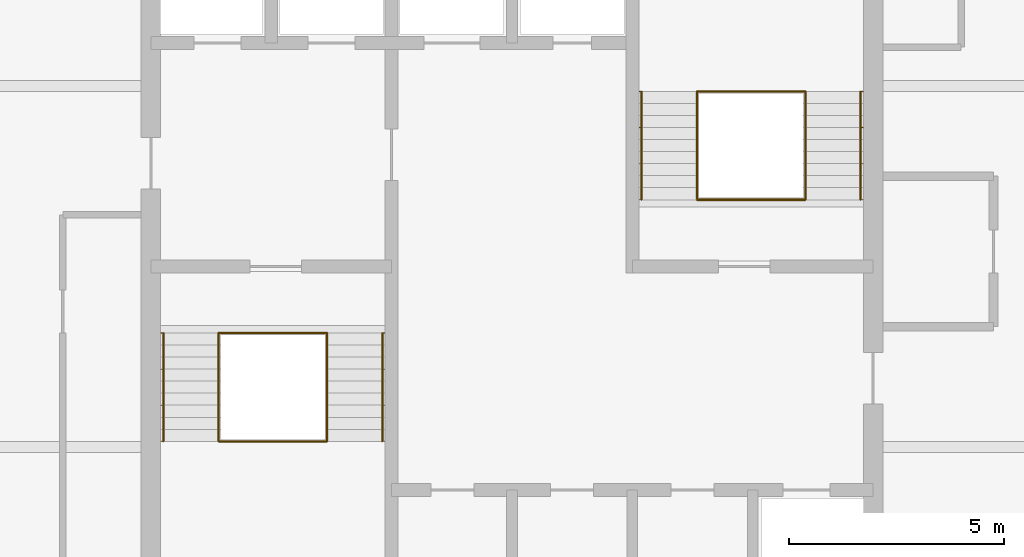
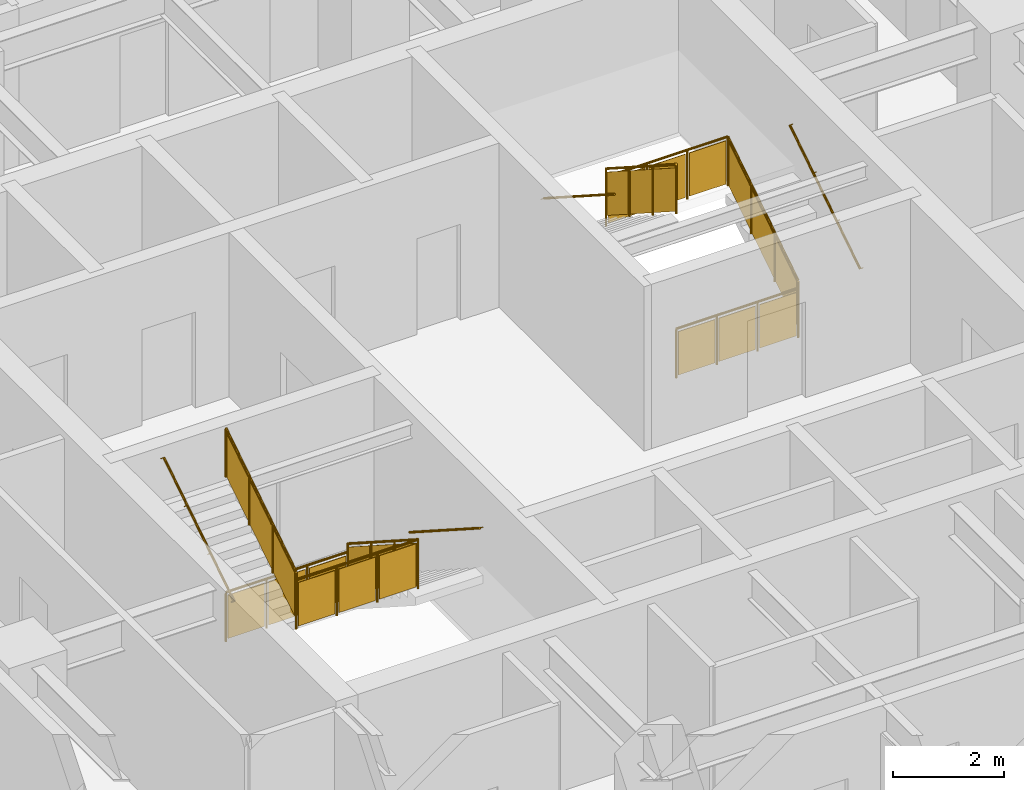
# One storey, part 10 of 10: 12 railings.
"""IFC4 building model written with IfcOpenShell, lengths in metres."""

from ifc_helpers import new_model, si_unit, direction, frame, origin, origin_2d, place, context, subcontext, project, spatial, polyline, circle, outline, extrude, material, type_object, element, save


model = new_model("IFC4")

# Units and contexts
model_context = context("Model", 3, precision=1e-05, world=origin(), true_north=direction((0.0, 1.0)))
body_context = subcontext(model_context, "Body", "Model", "MODEL_VIEW")
ifc_project = project(units=[si_unit("LENGTHUNIT", "METRE"), si_unit("AREAUNIT", "SQUARE_METRE"), si_unit("VOLUMEUNIT", "CUBIC_METRE"), si_unit("PLANEANGLEUNIT", "RADIAN"), si_unit("MASSUNIT", "GRAM", prefix="KILO")], contexts=[model_context])

# Site, building, storey
site_placement = place(None, origin())
site = spatial("IfcSite", under=ifc_project, at=site_placement, CompositionType="ELEMENT")
building_placement = place(site_placement, origin())
building = spatial("IfcBuilding", under=site, at=building_placement, Name="Torre Alcanfor", CompositionType="ELEMENT")
storey_placement = place(building_placement, frame((0.0, 0.0, 290.10009765625)))
storey = spatial("IfcBuildingStorey", under=building, at=storey_placement, Name="L76", CompositionType="ELEMENT", Elevation=290.10009765625)

# Railings
ifc_material_1 = material(Name="Steel ASTM A500 Grade C hollow sections", Category="steel")
railing_type_1 = type_object("IfcRailingType", Name="Stair guard and handrail 1100", PredefinedType="GUARDRAIL", material=ifc_material_1)
railing_1_placement = place(storey_placement, frame((25.10009765625, 27.85009765625, 0.179931640625)))
element("IfcRailing", 1, at=railing_1_placement, inside=storey, type_object=railing_type_1, Name="Stair guard S1 L76 flight 1", PredefinedType="GUARDRAIL", context=body_context, shape_type="SweptSolid", body=[
    extrude(circle(Radius=0.02392578125, at=origin_2d()), frame((0.0, 0.0, 1.076171875), z_axis=(0.0, -0.841199657755, 0.540724639528), x_axis=(1.0, 0.0, 0.0)), (0.0, 0.0, 1.0), 2.995849609375),
    extrude(circle(Radius=0.02099609375, at=origin_2d()), origin(), (0.0, 0.0, 1.0), 1.052001953125),
    extrude(circle(Radius=0.02099609375, at=origin_2d()), frame((0.0, -0.840087890625, 0.5400390625)), (0.0, 0.0, 1.0), 1.052001953125),
    extrude(circle(Radius=0.02099609375, at=origin_2d()), frame((0.0, -1.679931640625, 1.079833984375)), (0.0, 0.0, 1.0), 1.052001953125),
    extrude(circle(Radius=0.02099609375, at=origin_2d()), frame((0.0, -2.52001953125, 1.619873046875)), (0.0, 0.0, 1.0), 1.052001953125),
    extrude(outline(polyline([(0.041015625, 0.076416015625), (0.799072265625, 0.563720703125), (0.799072265625, 1.515625), (0.041015625, 1.0283203125), (0.041015625, 0.076416015625)])), frame((0.005859375, 0.0, 0.0), z_axis=(-1.0, 0.0, 0.0), x_axis=(0.0, -1.0, 0.0)), (0.0, 0.0, 1.0), 0.011962890625),
    extrude(outline(polyline([(0.881103515625, 0.6162109375), (1.638916015625, 1.103515625), (1.638916015625, 2.0556640625), (0.881103515625, 1.568359375), (0.881103515625, 0.6162109375)])), frame((0.005859375, 0.0, 0.0), z_axis=(-1.0, 0.0, 0.0), x_axis=(0.0, -1.0, 0.0)), (0.0, 0.0, 1.0), 0.011962890625),
    extrude(outline(polyline([(1.720947265625, 1.15625), (2.47900390625, 1.6435546875), (2.47900390625, 2.595458984375), (1.720947265625, 2.108154296875), (1.720947265625, 1.15625)])), frame((0.005859375, 0.0, 0.0), z_axis=(-1.0, 0.0, 0.0), x_axis=(0.0, -1.0, 0.0)), (0.0, 0.0, 1.0), 0.011962890625),
])
railing_2_placement = place(storey_placement, frame((22.574951171875, 25.330078125, 1.97998046875)))
element("IfcRailing", 2, at=railing_2_placement, inside=storey, type_object=railing_type_1, Name="Stair guard S1 L76 flight 2", PredefinedType="GUARDRAIL", context=body_context, shape_type="SweptSolid", body=[
    extrude(circle(Radius=0.02392578125, at=origin_2d()), frame((0.0, 0.0, 1.076171875), z_axis=(0.0, 0.841199657755, 0.540724639528), x_axis=(-1.0, 0.0, 0.0)), (0.0, 0.0, 1.0), 2.995849609375),
    extrude(circle(Radius=0.02099609375, at=origin_2d()), origin(), (0.0, 0.0, 1.0), 1.052001953125),
    extrude(circle(Radius=0.02099609375, at=origin_2d()), frame((0.0, 0.840087890625, 0.5400390625)), (0.0, 0.0, 1.0), 1.052001953125),
    extrude(circle(Radius=0.02099609375, at=origin_2d()), frame((0.0, 1.679931640625, 1.079833984375)), (0.0, 0.0, 1.0), 1.052001953125),
    extrude(circle(Radius=0.02099609375, at=origin_2d()), frame((0.0, 2.52001953125, 1.619873046875)), (0.0, 0.0, 1.0), 1.052001953125),
    extrude(outline(polyline([(0.041015625, 0.076416015625), (0.799072265625, 0.563720703125), (0.799072265625, 1.515625), (0.041015625, 1.0283203125), (0.041015625, 0.076416015625)])), frame((-0.005859375, 0.0, 0.0), z_axis=(1.0, 0.0, 0.0), x_axis=(0.0, 1.0, 0.0)), (0.0, 0.0, 1.0), 0.011962890625),
    extrude(outline(polyline([(0.881103515625, 0.6162109375), (1.638916015625, 1.103515625), (1.638916015625, 2.0556640625), (0.881103515625, 1.568359375), (0.881103515625, 0.6162109375)])), frame((-0.005859375, 0.0, 0.0), z_axis=(1.0, 0.0, 0.0), x_axis=(0.0, 1.0, 0.0)), (0.0, 0.0, 1.0), 0.011962890625),
    extrude(outline(polyline([(1.720947265625, 1.15625), (2.47900390625, 1.6435546875), (2.47900390625, 2.595458984375), (1.720947265625, 2.108154296875), (1.720947265625, 1.15625)])), frame((-0.005859375, 0.0, 0.0), z_axis=(1.0, 0.0, 0.0), x_axis=(0.0, 1.0, 0.0)), (0.0, 0.0, 1.0), 0.011962890625),
])
for number, where, name in (
    (3, (22.574951171875, 27.85009765625, 0.0), "Stair well guard S1 L76 floor landing"),
    (4, (22.574951171875, 25.330078125, 1.7998046875), "Stair well guard S1 L76 half landing"),
):
    element("IfcRailing", number, at=place(storey_placement, frame(where)), inside=storey, type_object=railing_type_1, Name=name, PredefinedType="GUARDRAIL", context=body_context, shape_type="SweptSolid", body=[
        extrude(circle(Radius=0.02392578125, at=origin_2d()), frame((0.0, 0.0, 1.076171875), z_axis=(1.0, 0.0, 0.0), x_axis=(0.0, 1.0, 0.0)), (0.0, 0.0, 1.0), 2.525146484375),
        extrude(circle(Radius=0.02099609375, at=origin_2d()), origin(), (0.0, 0.0, 1.0), 1.052001953125),
        extrude(circle(Radius=0.02099609375, at=origin_2d()), frame((0.841796875, 0.0, 0.0)), (0.0, 0.0, 1.0), 1.052001953125),
        extrude(circle(Radius=0.02099609375, at=origin_2d()), frame((1.683349609375, 0.0, 0.0)), (0.0, 0.0, 1.0), 1.052001953125),
        extrude(circle(Radius=0.02099609375, at=origin_2d()), frame((2.525146484375, 0.0, 0.0)), (0.0, 0.0, 1.0), 1.052001953125),
        extrude(outline(polyline([(0.041015625, 0.050048828125), (0.80078125, 0.050048828125), (0.80078125, 1.001953125), (0.041015625, 1.001953125), (0.041015625, 0.050048828125)])), frame((0.0, 0.005859375, 0.0), z_axis=(0.0, -1.0, 0.0), x_axis=(1.0, 0.0, 0.0)), (0.0, 0.0, 1.0), 0.011962890625),
        extrude(outline(polyline([(0.8828125, 0.050048828125), (1.642333984375, 0.050048828125), (1.642333984375, 1.001953125), (0.8828125, 1.001953125), (0.8828125, 0.050048828125)])), frame((0.0, 0.005859375, 0.0), z_axis=(0.0, -1.0, 0.0), x_axis=(1.0, 0.0, 0.0)), (0.0, 0.0, 1.0), 0.011962890625),
        extrude(outline(polyline([(1.724365234375, 0.050048828125), (2.484130859375, 0.050048828125), (2.484130859375, 1.001953125), (1.724365234375, 1.001953125), (1.724365234375, 0.050048828125)])), frame((0.0, 0.005859375, 0.0), z_axis=(0.0, -1.0, 0.0), x_axis=(1.0, 0.0, 0.0)), (0.0, 0.0, 1.0), 0.011962890625),
    ])
railing_3_placement = place(storey_placement, frame((36.22509765625, 30.949951171875, 0.179931640625)))
element("IfcRailing", 5, at=railing_3_placement, inside=storey, type_object=railing_type_1, Name="Stair guard S2 L76 flight 1", PredefinedType="GUARDRAIL", context=body_context, shape_type="SweptSolid", body=[
    extrude(circle(Radius=0.02392578125, at=origin_2d()), frame((0.0, 0.0, 1.076171875), z_axis=(0.0, 0.841199657755, 0.540724639528), x_axis=(-1.0, 0.0, 0.0)), (0.0, 0.0, 1.0), 2.995849609375),
    extrude(circle(Radius=0.02099609375, at=origin_2d()), origin(), (0.0, 0.0, 1.0), 1.052001953125),
    extrude(circle(Radius=0.02099609375, at=origin_2d()), frame((0.0, 0.840087890625, 0.5400390625)), (0.0, 0.0, 1.0), 1.052001953125),
    extrude(circle(Radius=0.02099609375, at=origin_2d()), frame((0.0, 1.679931640625, 1.079833984375)), (0.0, 0.0, 1.0), 1.052001953125),
    extrude(circle(Radius=0.02099609375, at=origin_2d()), frame((0.0, 2.52001953125, 1.619873046875)), (0.0, 0.0, 1.0), 1.052001953125),
    extrude(outline(polyline([(0.041015625, 0.076416015625), (0.799072265625, 0.563720703125), (0.799072265625, 1.515625), (0.041015625, 1.0283203125), (0.041015625, 0.076416015625)])), frame((-0.005859375, 0.0, 0.0), z_axis=(1.0, 0.0, 0.0), x_axis=(0.0, 1.0, 0.0)), (0.0, 0.0, 1.0), 0.011962890625),
    extrude(outline(polyline([(0.881103515625, 0.6162109375), (1.638916015625, 1.103515625), (1.638916015625, 2.0556640625), (0.881103515625, 1.568359375), (0.881103515625, 0.6162109375)])), frame((-0.005859375, 0.0, 0.0), z_axis=(1.0, 0.0, 0.0), x_axis=(0.0, 1.0, 0.0)), (0.0, 0.0, 1.0), 0.011962890625),
    extrude(outline(polyline([(1.720947265625, 1.15625), (2.47900390625, 1.6435546875), (2.47900390625, 2.595458984375), (1.720947265625, 2.108154296875), (1.720947265625, 1.15625)])), frame((-0.005859375, 0.0, 0.0), z_axis=(1.0, 0.0, 0.0), x_axis=(0.0, 1.0, 0.0)), (0.0, 0.0, 1.0), 0.011962890625),
])
railing_4_placement = place(storey_placement, frame((33.699951171875, 33.469970703125, 1.97998046875)))
element("IfcRailing", 6, at=railing_4_placement, inside=storey, type_object=railing_type_1, Name="Stair guard S2 L76 flight 2", PredefinedType="GUARDRAIL", context=body_context, shape_type="SweptSolid", body=[
    extrude(circle(Radius=0.02392578125, at=origin_2d()), frame((0.0, 0.0, 1.076171875), z_axis=(0.0, -0.841199657755, 0.540724639528), x_axis=(1.0, 0.0, 0.0)), (0.0, 0.0, 1.0), 2.995849609375),
    extrude(circle(Radius=0.02099609375, at=origin_2d()), origin(), (0.0, 0.0, 1.0), 1.052001953125),
    extrude(circle(Radius=0.02099609375, at=origin_2d()), frame((0.0, -0.840087890625, 0.5400390625)), (0.0, 0.0, 1.0), 1.052001953125),
    extrude(circle(Radius=0.02099609375, at=origin_2d()), frame((0.0, -1.679931640625, 1.079833984375)), (0.0, 0.0, 1.0), 1.052001953125),
    extrude(circle(Radius=0.02099609375, at=origin_2d()), frame((0.0, -2.52001953125, 1.619873046875)), (0.0, 0.0, 1.0), 1.052001953125),
    extrude(outline(polyline([(0.041015625, 0.076416015625), (0.799072265625, 0.563720703125), (0.799072265625, 1.515625), (0.041015625, 1.0283203125), (0.041015625, 0.076416015625)])), frame((0.005859375, 0.0, 0.0), z_axis=(-1.0, 0.0, 0.0), x_axis=(0.0, -1.0, 0.0)), (0.0, 0.0, 1.0), 0.011962890625),
    extrude(outline(polyline([(0.881103515625, 0.6162109375), (1.638916015625, 1.103515625), (1.638916015625, 2.0556640625), (0.881103515625, 1.568359375), (0.881103515625, 0.6162109375)])), frame((0.005859375, 0.0, 0.0), z_axis=(-1.0, 0.0, 0.0), x_axis=(0.0, -1.0, 0.0)), (0.0, 0.0, 1.0), 0.011962890625),
    extrude(outline(polyline([(1.720947265625, 1.15625), (2.47900390625, 1.6435546875), (2.47900390625, 2.595458984375), (1.720947265625, 2.108154296875), (1.720947265625, 1.15625)])), frame((0.005859375, 0.0, 0.0), z_axis=(-1.0, 0.0, 0.0), x_axis=(0.0, -1.0, 0.0)), (0.0, 0.0, 1.0), 0.011962890625),
])
for number, where, name in (
    (7, (33.699951171875, 30.949951171875, 0.0), "Stair well guard S2 L76 floor landing"),
    (8, (33.699951171875, 33.469970703125, 1.7998046875), "Stair well guard S2 L76 half landing"),
):
    element("IfcRailing", number, at=place(storey_placement, frame(where)), inside=storey, type_object=railing_type_1, Name=name, PredefinedType="GUARDRAIL", context=body_context, shape_type="SweptSolid", body=[
        extrude(circle(Radius=0.02392578125, at=origin_2d()), frame((0.0, 0.0, 1.076171875), z_axis=(1.0, 0.0, 0.0), x_axis=(0.0, 1.0, 0.0)), (0.0, 0.0, 1.0), 2.525146484375),
        extrude(circle(Radius=0.02099609375, at=origin_2d()), origin(), (0.0, 0.0, 1.0), 1.052001953125),
        extrude(circle(Radius=0.02099609375, at=origin_2d()), frame((0.841796875, 0.0, 0.0)), (0.0, 0.0, 1.0), 1.052001953125),
        extrude(circle(Radius=0.02099609375, at=origin_2d()), frame((1.683349609375, 0.0, 0.0)), (0.0, 0.0, 1.0), 1.052001953125),
        extrude(circle(Radius=0.02099609375, at=origin_2d()), frame((2.525146484375, 0.0, 0.0)), (0.0, 0.0, 1.0), 1.052001953125),
        extrude(outline(polyline([(0.041015625, 0.050048828125), (0.80078125, 0.050048828125), (0.80078125, 1.001953125), (0.041015625, 1.001953125), (0.041015625, 0.050048828125)])), frame((0.0, 0.005859375, 0.0), z_axis=(0.0, -1.0, 0.0), x_axis=(1.0, 0.0, 0.0)), (0.0, 0.0, 1.0), 0.011962890625),
        extrude(outline(polyline([(0.8828125, 0.050048828125), (1.642333984375, 0.050048828125), (1.642333984375, 1.001953125), (0.8828125, 1.001953125), (0.8828125, 0.050048828125)])), frame((0.0, 0.005859375, 0.0), z_axis=(0.0, -1.0, 0.0), x_axis=(1.0, 0.0, 0.0)), (0.0, 0.0, 1.0), 0.011962890625),
        extrude(outline(polyline([(1.724365234375, 0.050048828125), (2.484130859375, 0.050048828125), (2.484130859375, 1.001953125), (1.724365234375, 1.001953125), (1.724365234375, 0.050048828125)])), frame((0.0, 0.005859375, 0.0), z_axis=(0.0, -1.0, 0.0), x_axis=(1.0, 0.0, 0.0)), (0.0, 0.0, 1.0), 0.011962890625),
    ])
ifc_material_2 = material(Name="Steel ASTM A500 Grade C hollow sections", Category="steel")
railing_type_2 = type_object("IfcRailingType", Name="Stair wall handrail 900", PredefinedType="HANDRAIL", material=ifc_material_2)
railing_5_placement = place(storey_placement, frame((26.385009765625, 27.85009765625, 0.179931640625)))
element("IfcRailing", 9, at=railing_5_placement, inside=storey, type_object=railing_type_2, Name="Stair handrail S1 L76 flight 1", PredefinedType="HANDRAIL", context=body_context, shape_type="SweptSolid", body=[
    extrude(circle(Radius=0.02392578125, at=origin_2d()), frame((0.0, 0.0, 0.8759765625), z_axis=(0.0, -0.841199657755, 0.540724639528), x_axis=(1.0, 0.0, 0.0)), (0.0, 0.0, 1.0), 2.995849609375),
    extrude(circle(Radius=0.008056640625, at=origin_2d()), frame((0.0, 0.0, 0.8759765625), z_axis=(1.0, 0.0, 0.0), x_axis=(0.0, 0.0, 1.0)), (0.0, 0.0, 1.0), 0.06494140625),
    extrude(circle(Radius=0.008056640625, at=origin_2d()), frame((0.0, -0.840087890625, 1.415771484375), z_axis=(1.0, 0.0, 0.0), x_axis=(0.0, 0.0, 1.0)), (0.0, 0.0, 1.0), 0.06494140625),
    extrude(circle(Radius=0.008056640625, at=origin_2d()), frame((0.0, -1.679931640625, 1.955810546875), z_axis=(1.0, 0.0, 0.0), x_axis=(0.0, 0.0, 1.0)), (0.0, 0.0, 1.0), 0.06494140625),
    extrude(circle(Radius=0.008056640625, at=origin_2d()), frame((0.0, -2.52001953125, 2.49560546875), z_axis=(1.0, 0.0, 0.0), x_axis=(0.0, 0.0, 1.0)), (0.0, 0.0, 1.0), 0.06494140625),
])
railing_6_placement = place(storey_placement, frame((21.2900390625, 25.330078125, 1.97998046875)))
element("IfcRailing", 10, at=railing_6_placement, inside=storey, type_object=railing_type_2, Name="Stair handrail S1 L76 flight 2", PredefinedType="HANDRAIL", context=body_context, shape_type="SweptSolid", body=[
    extrude(circle(Radius=0.02392578125, at=origin_2d()), frame((0.0, 0.0, 0.8759765625), z_axis=(0.0, 0.841199657755, 0.540724639528), x_axis=(-1.0, 0.0, 0.0)), (0.0, 0.0, 1.0), 2.995849609375),
    extrude(circle(Radius=0.008056640625, at=origin_2d()), frame((0.0, 0.0, 0.8759765625), z_axis=(-1.0, 0.0, 0.0), x_axis=(0.0, 0.0, 1.0)), (0.0, 0.0, 1.0), 0.06494140625),
    extrude(circle(Radius=0.008056640625, at=origin_2d()), frame((0.0, 0.840087890625, 1.415771484375), z_axis=(-1.0, 0.0, 0.0), x_axis=(0.0, 0.0, 1.0)), (0.0, 0.0, 1.0), 0.06494140625),
    extrude(circle(Radius=0.008056640625, at=origin_2d()), frame((0.0, 1.679931640625, 1.955810546875), z_axis=(-1.0, 0.0, 0.0), x_axis=(0.0, 0.0, 1.0)), (0.0, 0.0, 1.0), 0.06494140625),
    extrude(circle(Radius=0.008056640625, at=origin_2d()), frame((0.0, 2.52001953125, 2.49560546875), z_axis=(-1.0, 0.0, 0.0), x_axis=(0.0, 0.0, 1.0)), (0.0, 0.0, 1.0), 0.06494140625),
])
railing_7_placement = place(storey_placement, frame((37.510009765625, 30.949951171875, 0.179931640625)))
element("IfcRailing", 11, at=railing_7_placement, inside=storey, type_object=railing_type_2, Name="Stair handrail S2 L76 flight 1", PredefinedType="HANDRAIL", context=body_context, shape_type="SweptSolid", body=[
    extrude(circle(Radius=0.02392578125, at=origin_2d()), frame((0.0, 0.0, 0.8759765625), z_axis=(0.0, 0.841199657755, 0.540724639528), x_axis=(-1.0, 0.0, 0.0)), (0.0, 0.0, 1.0), 2.995849609375),
    extrude(circle(Radius=0.008056640625, at=origin_2d()), frame((0.0, 0.0, 0.8759765625), z_axis=(1.0, 0.0, 0.0), x_axis=(0.0, 0.0, 1.0)), (0.0, 0.0, 1.0), 0.06494140625),
    extrude(circle(Radius=0.008056640625, at=origin_2d()), frame((0.0, 0.840087890625, 1.415771484375), z_axis=(1.0, 0.0, 0.0), x_axis=(0.0, 0.0, 1.0)), (0.0, 0.0, 1.0), 0.06494140625),
    extrude(circle(Radius=0.008056640625, at=origin_2d()), frame((0.0, 1.679931640625, 1.955810546875), z_axis=(1.0, 0.0, 0.0), x_axis=(0.0, 0.0, 1.0)), (0.0, 0.0, 1.0), 0.06494140625),
    extrude(circle(Radius=0.008056640625, at=origin_2d()), frame((0.0, 2.52001953125, 2.49560546875), z_axis=(1.0, 0.0, 0.0), x_axis=(0.0, 0.0, 1.0)), (0.0, 0.0, 1.0), 0.06494140625),
])
railing_8_placement = place(storey_placement, frame((32.4150390625, 33.469970703125, 1.97998046875)))
element("IfcRailing", 12, at=railing_8_placement, inside=storey, type_object=railing_type_2, Name="Stair handrail S2 L76 flight 2", PredefinedType="HANDRAIL", context=body_context, shape_type="SweptSolid", body=[
    extrude(circle(Radius=0.02392578125, at=origin_2d()), frame((0.0, 0.0, 0.8759765625), z_axis=(0.0, -0.841199657755, 0.540724639528), x_axis=(1.0, 0.0, 0.0)), (0.0, 0.0, 1.0), 2.995849609375),
    extrude(circle(Radius=0.008056640625, at=origin_2d()), frame((0.0, 0.0, 0.8759765625), z_axis=(-1.0, 0.0, 0.0), x_axis=(0.0, 0.0, 1.0)), (0.0, 0.0, 1.0), 0.06494140625),
    extrude(circle(Radius=0.008056640625, at=origin_2d()), frame((0.0, -0.840087890625, 1.415771484375), z_axis=(-1.0, 0.0, 0.0), x_axis=(0.0, 0.0, 1.0)), (0.0, 0.0, 1.0), 0.06494140625),
    extrude(circle(Radius=0.008056640625, at=origin_2d()), frame((0.0, -1.679931640625, 1.955810546875), z_axis=(-1.0, 0.0, 0.0), x_axis=(0.0, 0.0, 1.0)), (0.0, 0.0, 1.0), 0.06494140625),
    extrude(circle(Radius=0.008056640625, at=origin_2d()), frame((0.0, -2.52001953125, 2.49560546875), z_axis=(-1.0, 0.0, 0.0), x_axis=(0.0, 0.0, 1.0)), (0.0, 0.0, 1.0), 0.06494140625),
])

save(model, "model.ifc")
